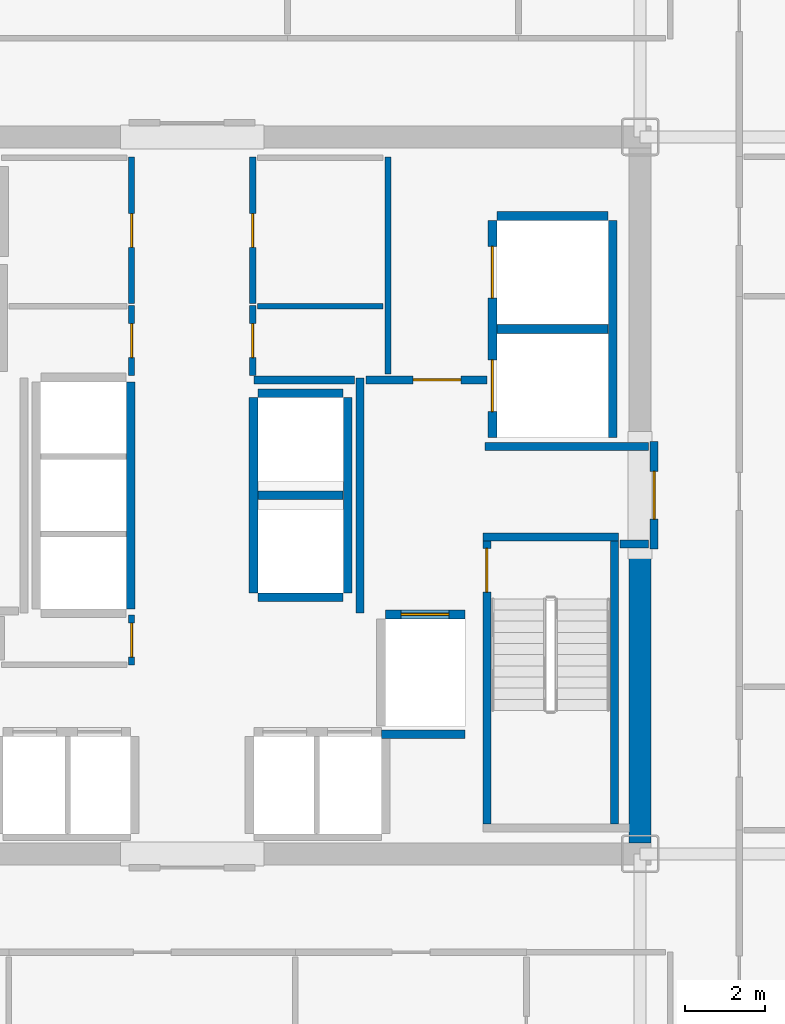
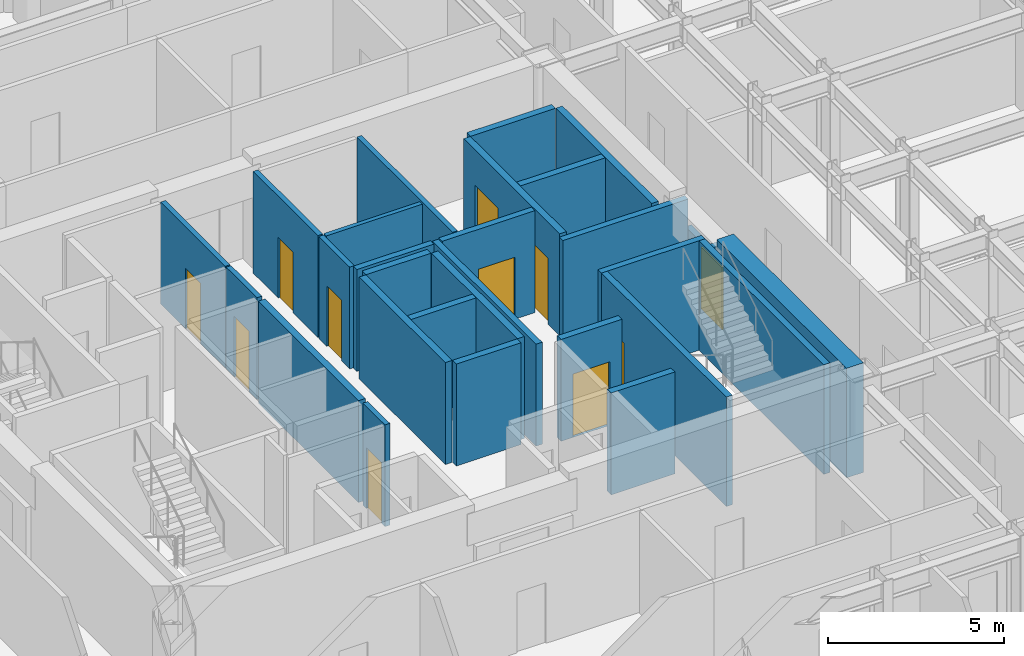
# One storey, part 18 of 23: 29 walls, 11 doors, 11 openings.
"""IFC4 building model written with IfcOpenShell, lengths in metres."""

from ifc_helpers import new_model, si_unit, direction, frame, frame_2d, origin, place, context, subcontext, project, spatial, rectangle, extrude, source, transform, mapped, material, layer, layer_set, type_object, element, fill, save


model = new_model("IFC4")

# Units and contexts
model_context = context("Model", 3, precision=1e-05, world=origin(), true_north=direction((0.0, 1.0)))
body_context = subcontext(model_context, "Body", "Model", "MODEL_VIEW")
ifc_project = project(units=[si_unit("LENGTHUNIT", "METRE"), si_unit("AREAUNIT", "SQUARE_METRE"), si_unit("VOLUMEUNIT", "CUBIC_METRE"), si_unit("PLANEANGLEUNIT", "RADIAN"), si_unit("MASSUNIT", "GRAM", prefix="KILO")], contexts=[model_context])

# Site, building, storey
site_placement = place(None, origin())
site = spatial("IfcSite", under=ifc_project, at=site_placement, CompositionType="ELEMENT")
building_placement = place(site_placement, origin())
building = spatial("IfcBuilding", under=site, at=building_placement, Name="Nefas-Gora Pilgrimage Tower", CompositionType="ELEMENT")
storey_placement = place(building_placement, frame((0.0, 0.0, 156.39990234375)))
storey = spatial("IfcBuildingStorey", under=building, at=storey_placement, Name="L38", CompositionType="ELEMENT", Elevation=156.39990234375)

# Walls
ifc_material_1 = material(Name="Concrete C60/75", Category="concrete")
ifc_layer_1 = layer(ifc_material_1, 0.550048828125)
ifc_layer_set_1 = layer_set([ifc_layer_1], Name="Concrete C60/75")
wall_type_1 = type_object("IfcWallType", Name="SW-CORE-550", PredefinedType="SHEAR", material=ifc_layer_set_1)
shared_shape_1 = source(origin(), body_context, "Body", "SweptSolid", [
    extrude(rectangle(XDim=7.375, YDim=0.550048828125, at=frame_2d((3.6875, 0.0))), origin(), (0.0, 0.0, 1.0), 3.800048828125),
])
wall_1_placement = place(storey_placement, frame((11.25, -8.72509765625, 0.0), z_axis=(0.0, 0.0, 1.0), x_axis=(0.0, 1.0, 0.0)))
element("IfcWall", 1, at=wall_1_placement, inside=storey, type_object=wall_type_1, Name="L38 Core Shear Wall E-South", PredefinedType="SHEAR", context=body_context, shape_type="MappedRepresentation", body=[
    mapped(shared_shape_1, transform((0.0, 0.0, 0.0), x_axis=(1.0, 0.0, 0.0), y_axis=(0.0, 1.0, 0.0), z_axis=(0.0, 0.0, 1.0), scale=1.0)),
])
ifc_material_2 = material(Name="Concrete C45/55", Category="concrete")
ifc_layer_2 = layer(ifc_material_2, 0.199951171875)
ifc_layer_set_2 = layer_set([ifc_layer_2], Name="Concrete C45/55")
wall_type_2 = type_object("IfcWallType", Name="IW-STAIR-200", PredefinedType="SOLIDWALL", material=ifc_layer_set_2)
shared_shape_2 = source(origin(), body_context, "Body", "SweptSolid", [
    extrude(rectangle(XDim=3.39990234375, YDim=0.199951171875, at=frame_2d((1.699951171875, 0.0))), origin(), (0.0, 0.0, 1.0), 3.800048828125),
])
wall_2_placement = place(storey_placement, frame((7.300048828125, -1.050048828125, 0.0), z_axis=(0.0, 0.0, 1.0), x_axis=(1.0, 0.0, 0.0)))
element("IfcWall", 2, at=wall_2_placement, inside=storey, type_object=wall_type_2, Name="L38 Stairwell Shear Wall ST-02-near", PredefinedType="SOLIDWALL", context=body_context, shape_type="MappedRepresentation", body=[
    mapped(shared_shape_2, transform((0.0, 0.0, 0.0), x_axis=(1.0, 0.0, 0.0), y_axis=(0.0, 1.0, 0.0), z_axis=(0.0, 0.0, 1.0), scale=1.0)),
])

# Wall, opening, door
shared_shape_3 = source(origin(), body_context, "Body", "SweptSolid", [
    extrude(rectangle(XDim=7.10009765625, YDim=0.199951171875, at=frame_2d((3.550048828125, 0.0))), origin(), (0.0, 0.0, 1.0), 3.800048828125),
])
wall_3_placement = place(storey_placement, frame((7.39990234375, -1.14990234375, 0.0), z_axis=(0.0, 0.0, 1.0), x_axis=(0.0, -1.0, 0.0)))
wall_3 = element("IfcWall", 3, at=wall_3_placement, inside=storey, type_object=wall_type_2, Name="L38 Stairwell Shear Wall ST-02-left", PredefinedType="SOLIDWALL", context=body_context, shape_type="MappedRepresentation", body=[
    mapped(shared_shape_3, transform((0.0, 0.0, 0.0), x_axis=(1.0, 0.0, 0.0), y_axis=(0.0, 1.0, 0.0), z_axis=(0.0, 0.0, 1.0), scale=1.0)),
])
opening_1_placement = place(wall_3_placement, frame((0.179931640625, 0.0, 0.0)))
opening_1 = element("IfcOpeningElement", 4, at=opening_1_placement, cuts=wall_3, Name="Opening ID-ST1", PredefinedType="OPENING", context=body_context, shape_type="SweptSolid", body=[
    extrude(rectangle(XDim=1.10009765625, YDim=2.14990234375, at=frame_2d((0.550048828125, 1.074951171875))), frame((0.0, 0.10986328125, 0.0), z_axis=(0.0, -1.0, 0.0), x_axis=(1.0, 0.0, 0.0)), (0.0, 0.0, 1.0), 0.219970703125),
])
ifc_material_3 = material(Name="Painted galvanised steel fire stair door", Category="steel")
door_type_1 = type_object("IfcDoorType", Name="DR-INT-STAIR-1100", OperationType="NOTDEFINED", PredefinedType="DOOR", material=ifc_material_3)
shared_shape_4 = source(origin(), body_context, "Body", "SweptSolid", [
    extrude(rectangle(XDim=1.10009765625, YDim=2.14990234375, at=frame_2d((0.550048828125, 1.074951171875))), frame((0.0, 0.02490234375, 0.0), z_axis=(0.0, -1.0, 0.0), x_axis=(1.0, 0.0, 0.0)), (0.0, 0.0, 1.0), 0.050048828125),
])
door_1_placement = place(opening_1_placement, origin())
door_1 = element("IfcDoor", 5, at=door_1_placement, inside=storey, type_object=door_type_1, Name="L38 Protected Exit Stair Door ST-02", OperationType="SINGLE_SWING_LEFT", OverallHeight=2.14990234375, OverallWidth=1.10009765625, PredefinedType="DOOR", context=body_context, shape_type="MappedRepresentation", body=[
    mapped(shared_shape_4, transform((0.0, 0.0, 0.0), x_axis=(1.0, 0.0, 0.0), y_axis=(0.0, 1.0, 0.0), z_axis=(0.0, 0.0, 1.0), scale=1.0)),
])
fill(opening_1, door_1)

# Wall
wall_4_placement = place(storey_placement, frame((10.60009765625, -1.14990234375, 0.0), z_axis=(0.0, 0.0, 1.0), x_axis=(0.0, -1.0, 0.0)))
element("IfcWall", 6, at=wall_4_placement, inside=storey, type_object=wall_type_2, Name="L38 Stairwell Shear Wall ST-02-right", PredefinedType="SOLIDWALL", context=body_context, shape_type="MappedRepresentation", body=[
    mapped(shared_shape_3, transform((0.0, 0.0, 0.0), x_axis=(1.0, 0.0, 0.0), y_axis=(0.0, 1.0, 0.0), z_axis=(0.0, 0.0, 1.0), scale=1.0)),
])

# Wall, opening, door
ifc_material_4 = material(Name="Concrete C40/50", Category="concrete")
ifc_layer_3 = layer(ifc_material_4, 0.219970703125)
ifc_layer_set_3 = layer_set([ifc_layer_3], Name="Concrete C40/50")
wall_type_3 = type_object("IfcWallType", Name="IW-SHAFT-220", PredefinedType="SOLIDWALL", material=ifc_layer_set_3)
shared_shape_5 = source(origin(), body_context, "Body", "SweptSolid", [
    extrude(rectangle(XDim=2.0, YDim=0.219970703125, at=frame_2d((1.0, 0.0))), origin(), (0.0, 0.0, 1.0), 3.53515625),
])
wall_5_placement = place(storey_placement, frame((6.85009765625, -2.989990234375, 0.0), z_axis=(0.0, 0.0, 1.0), x_axis=(-1.0, 0.0, 0.0)))
wall_5 = element("IfcWall", 7, at=wall_5_placement, inside=storey, type_object=wall_type_3, Name="L38 Hoistway Wall FFL-02-N", PredefinedType="SOLIDWALL", context=body_context, shape_type="MappedRepresentation", body=[
    mapped(shared_shape_5, transform((0.0, 0.0, 0.0), x_axis=(1.0, 0.0, 0.0), y_axis=(0.0, 1.0, 0.0), z_axis=(0.0, 0.0, 1.0), scale=1.0)),
])
opening_2_placement = place(wall_5_placement, frame((0.39990234375, 0.0, 0.0)))
opening_2 = element("IfcOpeningElement", 8, at=opening_2_placement, cuts=wall_5, Name="Opening LD-FF", PredefinedType="OPENING", context=body_context, shape_type="SweptSolid", body=[
    extrude(rectangle(XDim=1.199951171875, YDim=2.199951171875, at=frame_2d((0.60009765625, 1.10009765625))), frame((0.0, 0.119873046875, 0.0), z_axis=(0.0, -1.0, 0.0), x_axis=(1.0, 0.0, 0.0)), (0.0, 0.0, 1.0), 0.239990234375),
])
ifc_material_5 = material(Name="Fire-service sliding lift landing door")
door_type_2 = type_object("IfcDoorType", Name="DR-LIFT-FSAE-1200", OperationType="SLIDING_TO_LEFT", PredefinedType="DOOR", material=ifc_material_5)
shared_shape_6 = source(origin(), body_context, "Body", "SweptSolid", [
    extrude(rectangle(XDim=1.199951171875, YDim=2.199951171875, at=frame_2d((0.60009765625, 1.10009765625))), frame((0.0, 0.02490234375, 0.0), z_axis=(0.0, -1.0, 0.0), x_axis=(1.0, 0.0, 0.0)), (0.0, 0.0, 1.0), 0.050048828125),
])
door_2_placement = place(opening_2_placement, origin())
door_2 = element("IfcDoor", 9, at=door_2_placement, inside=storey, type_object=door_type_2, Name="L38 Sliding Lift Landing Door FFL-02", OperationType="SLIDING_TO_LEFT", OverallHeight=2.199951171875, OverallWidth=1.199951171875, PredefinedType="DOOR", context=body_context, shape_type="MappedRepresentation", body=[
    mapped(shared_shape_6, transform((0.0, 0.0, 0.0), x_axis=(1.0, 0.0, 0.0), y_axis=(0.0, 1.0, 0.0), z_axis=(0.0, 0.0, 1.0), scale=1.0)),
])
fill(opening_2, door_2)

# Wall, openings, doors
shared_shape_7 = source(origin(), body_context, "Body", "SweptSolid", [
    extrude(rectangle(XDim=5.449951171875, YDim=0.219970703125, at=frame_2d((2.72509765625, 0.0))), origin(), (0.0, 0.0, 1.0), 3.53515625),
])
wall_6_placement = place(storey_placement, frame((7.5400390625, 6.89990234375, 0.0), z_axis=(0.0, 0.0, 1.0), x_axis=(0.0, -1.0, 0.0)))
wall_6 = element("IfcWall", 10, at=wall_6_placement, inside=storey, type_object=wall_type_3, Name="L38 Hoistway Wall SL-01-02-W", PredefinedType="SOLIDWALL", context=body_context, shape_type="MappedRepresentation", body=[
    mapped(shared_shape_7, transform((0.0, 0.0, 0.0), x_axis=(1.0, 0.0, 0.0), y_axis=(0.0, 1.0, 0.0), z_axis=(0.0, 0.0, 1.0), scale=1.0)),
])
opening_3_placement = place(wall_6_placement, frame((3.5, 0.0, 0.0)))
opening_3 = element("IfcOpeningElement", 11, at=opening_3_placement, cuts=wall_6, Name="Opening LD-SV", PredefinedType="OPENING", context=body_context, shape_type="SweptSolid", body=[
    extrude(rectangle(XDim=1.300048828125, YDim=2.300048828125, at=frame_2d((0.64990234375, 1.14990234375))), frame((0.0, 0.119873046875, 0.0), z_axis=(0.0, -1.0, 0.0), x_axis=(1.0, 0.0, 0.0)), (0.0, 0.0, 1.0), 0.239990234375),
])
opening_4_placement = place(wall_6_placement, frame((0.64990234375, 0.0, 0.0)))
opening_4 = element("IfcOpeningElement", 12, at=opening_4_placement, cuts=wall_6, Name="Opening LD-SV", PredefinedType="OPENING", context=body_context, shape_type="SweptSolid", body=[
    extrude(rectangle(XDim=1.300048828125, YDim=2.300048828125, at=frame_2d((0.64990234375, 1.14990234375))), frame((0.0, 0.119873046875, 0.0), z_axis=(0.0, -1.0, 0.0), x_axis=(1.0, 0.0, 0.0)), (0.0, 0.0, 1.0), 0.239990234375),
])
ifc_material_6 = material(Name="Heavy goods sliding lift landing door")
door_type_3 = type_object("IfcDoorType", Name="DR-LIFT-SERV-1300", OperationType="SLIDING_TO_RIGHT", PredefinedType="DOOR", material=ifc_material_6)
shared_shape_8 = source(origin(), body_context, "Body", "SweptSolid", [
    extrude(rectangle(XDim=1.300048828125, YDim=2.300048828125, at=frame_2d((0.64990234375, 1.14990234375))), frame((0.0, 0.02490234375, 0.0), z_axis=(0.0, -1.0, 0.0), x_axis=(1.0, 0.0, 0.0)), (0.0, 0.0, 1.0), 0.050048828125),
])
door_3_placement = place(opening_3_placement, origin())
door_3 = element("IfcDoor", 13, at=door_3_placement, inside=storey, type_object=door_type_3, Name="L38 Sliding Lift Landing Door SL-01", OperationType="SLIDING_TO_RIGHT", OverallHeight=2.300048828125, OverallWidth=1.300048828125, PredefinedType="DOOR", context=body_context, shape_type="MappedRepresentation", body=[
    mapped(shared_shape_8, transform((0.0, 0.0, 0.0), x_axis=(1.0, 0.0, 0.0), y_axis=(0.0, 1.0, 0.0), z_axis=(0.0, 0.0, 1.0), scale=1.0)),
])
fill(opening_3, door_3)
door_4_placement = place(opening_4_placement, origin())
door_4 = element("IfcDoor", 14, at=door_4_placement, inside=storey, type_object=door_type_3, Name="L38 Sliding Lift Landing Door SL-02", OperationType="SLIDING_TO_RIGHT", OverallHeight=2.300048828125, OverallWidth=1.300048828125, PredefinedType="DOOR", context=body_context, shape_type="MappedRepresentation", body=[
    mapped(shared_shape_8, transform((0.0, 0.0, 0.0), x_axis=(1.0, 0.0, 0.0), y_axis=(0.0, 1.0, 0.0), z_axis=(0.0, 0.0, 1.0), scale=1.0)),
])
fill(opening_4, door_4)

# Walls
wall_7_placement = place(storey_placement, frame((10.56005859375, 1.449951171875, 0.0), z_axis=(0.0, 0.0, 1.0), x_axis=(0.0, 1.0, 0.0)))
element("IfcWall", 15, at=wall_7_placement, inside=storey, type_object=wall_type_3, Name="L38 Hoistway Wall SL-01-02-E", PredefinedType="SOLIDWALL", context=body_context, shape_type="MappedRepresentation", body=[
    mapped(shared_shape_7, transform((0.0, 0.0, 0.0), x_axis=(1.0, 0.0, 0.0), y_axis=(0.0, 1.0, 0.0), z_axis=(0.0, 0.0, 1.0), scale=1.0)),
])
shared_shape_9 = source(origin(), body_context, "Body", "SweptSolid", [
    extrude(rectangle(XDim=2.780029296875, YDim=0.219970703125, at=frame_2d((1.39013671875, 0.0))), origin(), (0.0, 0.0, 1.0), 3.53515625),
])
for number, where, z_axis, x_axis, name in (
    (16, (7.659912109375, 4.175048828125, 0.0), (0.0, 0.0, 1.0), (1.0, 0.0, 0.0), "L38 Hoistway Wall SL-01-02-DIV"),
    (17, (10.43994140625, 7.010009765625, 0.0), (0.0, 0.0, 1.0), (-1.0, 0.0, 0.0), "L38 Hoistway Wall SL-02-N"),
):
    element("IfcWall", number, at=place(storey_placement, frame(where, z_axis=z_axis, x_axis=x_axis)), inside=storey, type_object=wall_type_3, Name=name, PredefinedType="SOLIDWALL", context=body_context, shape_type="MappedRepresentation", body=[
        mapped(shared_shape_9, transform((0.0, 0.0, 0.0), x_axis=(1.0, 0.0, 0.0), y_axis=(0.0, 1.0, 0.0), z_axis=(0.0, 0.0, 1.0), scale=1.0)),
    ])
shared_shape_10 = source(origin(), body_context, "Body", "SweptSolid", [
    extrude(rectangle(XDim=5.7001953125, YDim=0.219970703125, at=frame_2d((2.85009765625, 0.0))), origin(), (0.0, 0.0, 1.0), 3.53515625),
])
wall_8_placement = place(storey_placement, frame((-1.5400390625, -2.85009765625, 0.0), z_axis=(0.0, 0.0, 1.0), x_axis=(0.0, 1.0, 0.0)))
element("IfcWall", 18, at=wall_8_placement, inside=storey, type_object=wall_type_3, Name="L38 Hoistway Wall PL3-01-03-E", PredefinedType="SOLIDWALL", context=body_context, shape_type="MappedRepresentation", body=[
    mapped(shared_shape_10, transform((0.0, 0.0, 0.0), x_axis=(1.0, 0.0, 0.0), y_axis=(0.0, 1.0, 0.0), z_axis=(0.0, 0.0, 1.0), scale=1.0)),
])
shared_shape_11 = source(origin(), body_context, "Body", "SweptSolid", [
    extrude(rectangle(XDim=2.130126953125, YDim=0.219970703125, at=frame_2d((1.06494140625, 0.0))), origin(), (0.0, 0.0, 1.0), 3.53515625),
])
for number, where, z_axis, x_axis, name in (
    (19, (1.659912109375, -2.56005859375, 0.0), (0.0, 0.0, 1.0), (1.0, 0.0, 0.0), "L38 Hoistway Wall OBS-01-S"),
    (20, (1.659912109375, 0.0, 0.0), (0.0, 0.0, 1.0), (1.0, 0.0, 0.0), "L38 Hoistway Wall OBS-01-02-DIV"),
    (21, (3.7900390625, 2.56005859375, 0.0), (0.0, 0.0, 1.0), (-1.0, 0.0, 0.0), "L38 Hoistway Wall OBS-02-N"),
):
    element("IfcWall", number, at=place(storey_placement, frame(where, z_axis=z_axis, x_axis=x_axis)), inside=storey, type_object=wall_type_3, Name=name, PredefinedType="SOLIDWALL", context=body_context, shape_type="MappedRepresentation", body=[
        mapped(shared_shape_11, transform((0.0, 0.0, 0.0), x_axis=(1.0, 0.0, 0.0), y_axis=(0.0, 1.0, 0.0), z_axis=(0.0, 0.0, 1.0), scale=1.0)),
    ])
shared_shape_12 = source(origin(), body_context, "Body", "SweptSolid", [
    extrude(rectangle(XDim=4.89990234375, YDim=0.219970703125, at=frame_2d((2.449951171875, 0.0))), origin(), (0.0, 0.0, 1.0), 3.53515625),
])
for number, where, z_axis, x_axis, name in (
    (22, (1.5400390625, 2.449951171875, 0.0), (0.0, 0.0, 1.0), (0.0, -1.0, 0.0), "L38 Hoistway Wall OBS-01-02-W"),
    (23, (3.909912109375, -2.449951171875, 0.0), (0.0, 0.0, 1.0), (0.0, 1.0, 0.0), "L38 Hoistway Wall OBS-01-02-E"),
):
    element("IfcWall", number, at=place(storey_placement, frame(where, z_axis=z_axis, x_axis=x_axis)), inside=storey, type_object=wall_type_3, Name=name, PredefinedType="SOLIDWALL", context=body_context, shape_type="MappedRepresentation", body=[
        mapped(shared_shape_12, transform((0.0, 0.0, 0.0), x_axis=(1.0, 0.0, 0.0), y_axis=(0.0, 1.0, 0.0), z_axis=(0.0, 0.0, 1.0), scale=1.0)),
    ])

# Wall, opening, door
ifc_material_7 = material(Name="Gypsum fire-rated shaftwall")
ifc_layer_4 = layer(ifc_material_7, 0.199951171875)
ifc_layer_set_4 = layer_set([ifc_layer_4], Name="Gypsum fire-rated shaftwall")
wall_type_4 = type_object("IfcWallType", Name="IW-FFLOB-200", PredefinedType="PARTITIONING", material=ifc_layer_set_4)
shared_shape_13 = source(origin(), body_context, "Body", "SweptSolid", [
    extrude(rectangle(XDim=2.7001953125, YDim=0.199951171875, at=frame_2d((1.35009765625, 0.0))), origin(), (0.0, 0.0, 1.0), 2.425048828125),
])
wall_9_placement = place(storey_placement, frame((11.60009765625, -1.35009765625, 0.0), z_axis=(0.0, 0.0, 1.0), x_axis=(0.0, 1.0, 0.0)))
wall_9 = element("IfcWall", 24, at=wall_9_placement, inside=storey, type_object=wall_type_4, Name="L38 FF Lobby East Portal Wall 9", PredefinedType="PARTITIONING", context=body_context, shape_type="MappedRepresentation", body=[
    mapped(shared_shape_13, transform((0.0, 0.0, 0.0), x_axis=(1.0, 0.0, 0.0), y_axis=(0.0, 1.0, 0.0), z_axis=(0.0, 0.0, 1.0), scale=1.0)),
])
opening_5_placement = place(wall_9_placement, frame((0.75, 0.0, 0.0)))
opening_5 = element("IfcOpeningElement", 25, at=opening_5_placement, cuts=wall_9, Name="Opening ID-FF1", PredefinedType="OPENING", context=body_context, shape_type="SweptSolid", body=[
    extrude(rectangle(XDim=1.199951171875, YDim=2.14990234375, at=frame_2d((0.60009765625, 1.074951171875))), frame((0.0, 0.10986328125, 0.0), z_axis=(0.0, -1.0, 0.0), x_axis=(1.0, 0.0, 0.0)), (0.0, 0.0, 1.0), 0.219970703125),
])
ifc_material_8 = material(Name="Smoke-sealed steel firefighting lobby door", Category="steel")
door_type_4 = type_object("IfcDoorType", Name="DR-INT-FFLOB-1200", OperationType="NOTDEFINED", PredefinedType="DOOR", material=ifc_material_8)
shared_shape_14 = source(origin(), body_context, "Body", "SweptSolid", [
    extrude(rectangle(XDim=1.199951171875, YDim=2.14990234375, at=frame_2d((0.60009765625, 1.074951171875))), frame((0.0, 0.02490234375, 0.0), z_axis=(0.0, -1.0, 0.0), x_axis=(1.0, 0.0, 0.0)), (0.0, 0.0, 1.0), 0.050048828125),
])
door_5_placement = place(opening_5_placement, origin())
door_5 = element("IfcDoor", 26, at=door_5_placement, inside=storey, type_object=door_type_4, Name="L38 FF Lobby East Portal Door 3", OperationType="SINGLE_SWING_LEFT", OverallHeight=2.14990234375, OverallWidth=1.199951171875, PredefinedType="DOOR", context=body_context, shape_type="MappedRepresentation", body=[
    mapped(shared_shape_14, transform((0.0, 0.0, 0.0), x_axis=(1.0, 0.0, 0.0), y_axis=(0.0, 1.0, 0.0), z_axis=(0.0, 0.0, 1.0), scale=1.0)),
])
fill(opening_5, door_5)

# Walls
shared_shape_15 = source(origin(), body_context, "Body", "SweptSolid", [
    extrude(rectangle(XDim=2.09521484375, YDim=0.219970703125, at=frame_2d((1.047607421875, 0.0))), origin(), (0.0, 0.0, 1.0), 3.53515625),
])
wall_10_placement = place(storey_placement, frame((4.7548828125, -6.0, 0.0), z_axis=(0.0, 0.0, 1.0), x_axis=(1.0, 0.0, 0.0)))
element("IfcWall", 27, at=wall_10_placement, inside=storey, type_object=wall_type_3, Name="L38 Riser Shaft Wall 3", PredefinedType="SOLIDWALL", context=body_context, shape_type="MappedRepresentation", body=[
    mapped(shared_shape_15, transform((0.0, 0.0, 0.0), x_axis=(1.0, 0.0, 0.0), y_axis=(0.0, 1.0, 0.0), z_axis=(0.0, 0.0, 1.0), scale=1.0)),
])
shared_shape_16 = source(origin(), body_context, "Body", "SweptSolid", [
    extrude(rectangle(XDim=5.89990234375, YDim=0.199951171875, at=frame_2d((2.949951171875, 0.0))), origin(), (0.0, 0.0, 1.0), 3.53515625),
])
wall_11_placement = place(storey_placement, frame((4.219970703125, -2.949951171875, 0.0), z_axis=(0.0, 0.0, 1.0), x_axis=(0.0, 1.0, 0.0)))
element("IfcWall", 28, at=wall_11_placement, inside=storey, type_object=wall_type_4, Name="L38 FF Lobby East Inner Wall Wall 10", PredefinedType="PARTITIONING", context=body_context, shape_type="MappedRepresentation", body=[
    mapped(shared_shape_16, transform((0.0, 0.0, 0.0), x_axis=(1.0, 0.0, 0.0), y_axis=(0.0, 1.0, 0.0), z_axis=(0.0, 0.0, 1.0), scale=1.0)),
])
shared_shape_17 = source(origin(), body_context, "Body", "SweptSolid", [
    extrude(rectangle(XDim=0.719970703125, YDim=0.199951171875, at=frame_2d((0.35986328125, 0.0))), origin(), (0.0, 0.0, 1.0), 3.53515625),
])
wall_12_placement = place(storey_placement, frame((10.739990234375, -1.219970703125, 0.0), z_axis=(0.0, 0.0, 1.0), x_axis=(1.0, 0.0, 0.0)))
element("IfcWall", 29, at=wall_12_placement, inside=storey, type_object=wall_type_4, Name="L38 FF Lobby East Throat S Wall 14", PredefinedType="PARTITIONING", context=body_context, shape_type="MappedRepresentation", body=[
    mapped(shared_shape_17, transform((0.0, 0.0, 0.0), x_axis=(1.0, 0.0, 0.0), y_axis=(0.0, 1.0, 0.0), z_axis=(0.0, 0.0, 1.0), scale=1.0)),
])

# Wall, opening, door
shared_shape_18 = source(origin(), body_context, "Body", "SweptSolid", [
    extrude(rectangle(XDim=3.039794921875, YDim=0.199951171875, at=frame_2d((1.52001953125, 0.0))), origin(), (0.0, 0.0, 1.0), 3.53515625),
])
wall_13_placement = place(storey_placement, frame((4.360107421875, 2.89990234375, 0.0), z_axis=(0.0, 0.0, 1.0), x_axis=(1.0, 0.0, 0.0)))
wall_13 = element("IfcWall", 30, at=wall_13_placement, inside=storey, type_object=wall_type_4, Name="L38 FF Lobby East North Wall Wall 12", PredefinedType="PARTITIONING", context=body_context, shape_type="MappedRepresentation", body=[
    mapped(shared_shape_18, transform((0.0, 0.0, 0.0), x_axis=(1.0, 0.0, 0.0), y_axis=(0.0, 1.0, 0.0), z_axis=(0.0, 0.0, 1.0), scale=1.0)),
])
opening_6_placement = place(wall_13_placement, frame((1.18994140625, 0.0, 0.0)))
opening_6 = element("IfcOpeningElement", 31, at=opening_6_placement, cuts=wall_13, Name="Opening ID-PL1", PredefinedType="OPENING", context=body_context, shape_type="SweptSolid", body=[
    extrude(rectangle(XDim=1.199951171875, YDim=2.14990234375, at=frame_2d((0.60009765625, 1.074951171875))), frame((0.0, 0.10986328125, 0.0), z_axis=(0.0, -1.0, 0.0), x_axis=(1.0, 0.0, 0.0)), (0.0, 0.0, 1.0), 0.219970703125),
])
ifc_material_9 = material(Name="Heavy-duty steel plant room fire door", Category="steel")
door_type_5 = type_object("IfcDoorType", Name="DR-INT-PLANT-1200", OperationType="NOTDEFINED", PredefinedType="DOOR", material=ifc_material_9)
door_6_placement = place(opening_6_placement, origin())
door_6 = element("IfcDoor", 32, at=door_6_placement, inside=storey, type_object=door_type_5, Name="L38 Service Lift Lobby Door Door 4", OperationType="SINGLE_SWING_RIGHT", OverallHeight=2.14990234375, OverallWidth=1.199951171875, PredefinedType="DOOR", context=body_context, shape_type="MappedRepresentation", body=[
    mapped(shared_shape_14, transform((0.0, 0.0, 0.0), x_axis=(1.0, 0.0, 0.0), y_axis=(0.0, 1.0, 0.0), z_axis=(0.0, 0.0, 1.0), scale=1.0)),
])
fill(opening_6, door_6)

# Walls
shared_shape_19 = source(origin(), body_context, "Body", "SweptSolid", [
    extrude(rectangle(XDim=4.10986328125, YDim=0.199951171875, at=frame_2d((2.054931640625, 0.0))), origin(), (0.0, 0.0, 1.0), 3.53515625),
])
wall_14_placement = place(storey_placement, frame((7.35009765625, 1.219970703125, 0.0), z_axis=(0.0, 0.0, 1.0), x_axis=(1.0, 0.0, 0.0)))
element("IfcWall", 33, at=wall_14_placement, inside=storey, type_object=wall_type_4, Name="L38 FF Lobby East Throat N Wall 13", PredefinedType="PARTITIONING", context=body_context, shape_type="MappedRepresentation", body=[
    mapped(shared_shape_19, transform((0.0, 0.0, 0.0), x_axis=(1.0, 0.0, 0.0), y_axis=(0.0, 1.0, 0.0), z_axis=(0.0, 0.0, 1.0), scale=1.0)),
])
ifc_material_10 = material(Name="Gypsum twin-stud partition")
ifc_layer_5 = layer(ifc_material_10, 0.139892578125)
ifc_layer_set_5 = layer_set([ifc_layer_5], Name="Gypsum twin-stud partition")
wall_type_5 = type_object("IfcWallType", Name="IW-UNIT-140", PredefinedType="PARTITIONING", material=ifc_layer_set_5)
shared_shape_20 = source(origin(), body_context, "Body", "SweptSolid", [
    extrude(rectangle(XDim=3.150146484375, YDim=0.139892578125, at=frame_2d((1.5751953125, 0.0))), origin(), (0.0, 0.0, 1.0), 3.53515625),
])
wall_15_placement = place(storey_placement, frame((1.639892578125, 4.75, 0.0), z_axis=(0.0, 0.0, 1.0), x_axis=(1.0, 0.0, 0.0)))
element("IfcWall", 34, at=wall_15_placement, inside=storey, type_object=wall_type_5, Name="L38 Clean Blanket and Robe Store Partition Wall 23", PredefinedType="PARTITIONING", context=body_context, shape_type="MappedRepresentation", body=[
    mapped(shared_shape_20, transform((0.0, 0.0, 0.0), x_axis=(1.0, 0.0, 0.0), y_axis=(0.0, 1.0, 0.0), z_axis=(0.0, 0.0, 1.0), scale=1.0)),
])

# Wall, opening, door
ifc_material_11 = material(Name="Gypsum acoustic stud partition")
ifc_layer_6 = layer(ifc_material_11, 0.159912109375)
ifc_layer_set_6 = layer_set([ifc_layer_6], Name="Gypsum acoustic stud partition")
wall_type_6 = type_object("IfcWallType", Name="IW-CORR-160", PredefinedType="PARTITIONING", material=ifc_layer_set_6)
shared_shape_21 = source(origin(), body_context, "Body", "SweptSolid", [
    extrude(rectangle(XDim=1.25, YDim=0.159912109375, at=frame_2d((0.625, 0.0))), origin(), (0.0, 0.0, 1.0), 3.53515625),
])
wall_16_placement = place(storey_placement, frame((-1.52001953125, -4.260009765625, 0.0), z_axis=(0.0, 0.0, 1.0), x_axis=(0.0, 1.0, 0.0)))
wall_16 = element("IfcWall", 35, at=wall_16_placement, inside=storey, type_object=wall_type_6, Name="L38 Guest Self-Service Laundry Room Wall 26", PredefinedType="PARTITIONING", context=body_context, shape_type="MappedRepresentation", body=[
    mapped(shared_shape_21, transform((0.0, 0.0, 0.0), x_axis=(1.0, 0.0, 0.0), y_axis=(0.0, 1.0, 0.0), z_axis=(0.0, 0.0, 1.0), scale=1.0)),
])
opening_7_placement = place(wall_16_placement, frame((0.199951171875, 0.0, 0.0)))
opening_7 = element("IfcOpeningElement", 36, at=opening_7_placement, cuts=wall_16, Name="Opening ID-BT1", PredefinedType="OPENING", context=body_context, shape_type="SweptSolid", body=[
    extrude(rectangle(XDim=0.85009765625, YDim=2.10009765625, at=frame_2d((0.425048828125, 1.050048828125))), frame((0.0, 0.08984375, 0.0), z_axis=(0.0, -1.0, 0.0), x_axis=(1.0, 0.0, 0.0)), (0.0, 0.0, 1.0), 0.179931640625),
])
ifc_material_12 = material(Name="Moisture-resistant fire-rated timber door", Category="wood")
door_type_6 = type_object("IfcDoorType", Name="DR-INT-BATH-850", OperationType="NOTDEFINED", PredefinedType="DOOR", material=ifc_material_12)
shared_shape_22 = source(origin(), body_context, "Body", "SweptSolid", [
    extrude(rectangle(XDim=0.85009765625, YDim=2.10009765625, at=frame_2d((0.425048828125, 1.050048828125))), frame((0.0, 0.02490234375, 0.0), z_axis=(0.0, -1.0, 0.0), x_axis=(1.0, 0.0, 0.0)), (0.0, 0.0, 1.0), 0.050048828125),
])
door_7_placement = place(opening_7_placement, origin())
door_7 = element("IfcDoor", 37, at=door_7_placement, inside=storey, type_object=door_type_6, Name="L38 Guest Self-Service Laundry Room Door 11", OperationType="SINGLE_SWING_LEFT", OverallHeight=2.10009765625, OverallWidth=0.85009765625, PredefinedType="DOOR", context=body_context, shape_type="MappedRepresentation", body=[
    mapped(shared_shape_22, transform((0.0, 0.0, 0.0), x_axis=(1.0, 0.0, 0.0), y_axis=(0.0, 1.0, 0.0), z_axis=(0.0, 0.0, 1.0), scale=1.0)),
])
fill(opening_7, door_7)

# Walls
shared_shape_23 = source(origin(), body_context, "Body", "SweptSolid", [
    extrude(rectangle(XDim=2.52001953125, YDim=0.199951171875, at=frame_2d((1.260009765625, 0.0))), origin(), (0.0, 0.0, 1.0), 3.53515625),
])
wall_17_placement = place(storey_placement, frame((1.56005859375, 2.89990234375, 0.0), z_axis=(0.0, 0.0, 1.0), x_axis=(1.0, 0.0, 0.0)))
element("IfcWall", 38, at=wall_17_placement, inside=storey, type_object=wall_type_4, Name="L38 FF Lobby East North Wall Wall 11", PredefinedType="PARTITIONING", context=body_context, shape_type="MappedRepresentation", body=[
    mapped(shared_shape_23, transform((0.0, 0.0, 0.0), x_axis=(1.0, 0.0, 0.0), y_axis=(0.0, 1.0, 0.0), z_axis=(0.0, 0.0, 1.0), scale=1.0)),
])
shared_shape_24 = source(origin(), body_context, "Body", "SweptSolid", [
    extrude(rectangle(XDim=5.449951171875, YDim=0.159912109375, at=frame_2d((2.72509765625, 0.0))), origin(), (0.0, 0.0, 1.0), 3.53515625),
])
wall_18_placement = place(storey_placement, frame((4.919921875, 3.0400390625, 0.0), z_axis=(0.0, 0.0, 1.0), x_axis=(0.0, 1.0, 0.0)))
element("IfcWall", 39, at=wall_18_placement, inside=storey, type_object=wall_type_6, Name="L38 Service Lift Lobby West Wall Wall 17", PredefinedType="PARTITIONING", context=body_context, shape_type="MappedRepresentation", body=[
    mapped(shared_shape_24, transform((0.0, 0.0, 0.0), x_axis=(1.0, 0.0, 0.0), y_axis=(0.0, 1.0, 0.0), z_axis=(0.0, 0.0, 1.0), scale=1.0)),
])

# Wall, opening, door
shared_shape_25 = source(origin(), body_context, "Body", "SweptSolid", [
    extrude(rectangle(XDim=1.75, YDim=0.159912109375, at=frame_2d((0.875, 0.0))), origin(), (0.0, 0.0, 1.0), 3.53515625),
])
wall_19_placement = place(storey_placement, frame((-1.52001953125, 3.010009765625, 0.0), z_axis=(0.0, 0.0, 1.0), x_axis=(0.0, 1.0, 0.0)))
wall_19 = element("IfcWall", 40, at=wall_19_placement, inside=storey, type_object=wall_type_6, Name="L38 Housekeeping and Linen Store Wall 18", PredefinedType="PARTITIONING", context=body_context, shape_type="MappedRepresentation", body=[
    mapped(shared_shape_25, transform((0.0, 0.0, 0.0), x_axis=(1.0, 0.0, 0.0), y_axis=(0.0, 1.0, 0.0), z_axis=(0.0, 0.0, 1.0), scale=1.0)),
])
opening_8_placement = place(wall_19_placement, frame((0.449951171875, 0.0, 0.0)))
opening_8 = element("IfcOpeningElement", 41, at=opening_8_placement, cuts=wall_19, Name="Opening ID-BT1", PredefinedType="OPENING", context=body_context, shape_type="SweptSolid", body=[
    extrude(rectangle(XDim=0.85009765625, YDim=2.10009765625, at=frame_2d((0.425048828125, 1.050048828125))), frame((0.0, 0.08984375, 0.0), z_axis=(0.0, -1.0, 0.0), x_axis=(1.0, 0.0, 0.0)), (0.0, 0.0, 1.0), 0.179931640625),
])
door_8_placement = place(opening_8_placement, origin())
door_8 = element("IfcDoor", 42, at=door_8_placement, inside=storey, type_object=door_type_6, Name="L38 Housekeeping and Linen Store Door 7", OperationType="SINGLE_SWING_LEFT", OverallHeight=2.10009765625, OverallWidth=0.85009765625, PredefinedType="DOOR", context=body_context, shape_type="MappedRepresentation", body=[
    mapped(shared_shape_22, transform((0.0, 0.0, 0.0), x_axis=(1.0, 0.0, 0.0), y_axis=(0.0, 1.0, 0.0), z_axis=(0.0, 0.0, 1.0), scale=1.0)),
])
fill(opening_8, door_8)

wall_20_placement = place(storey_placement, frame((1.52001953125, 3.010009765625, 0.0), z_axis=(0.0, 0.0, 1.0), x_axis=(0.0, 1.0, 0.0)))
wall_20 = element("IfcWall", 43, at=wall_20_placement, inside=storey, type_object=wall_type_6, Name="L38 Clean Blanket and Robe Store Wall 22", PredefinedType="PARTITIONING", context=body_context, shape_type="MappedRepresentation", body=[
    mapped(shared_shape_25, transform((0.0, 0.0, 0.0), x_axis=(1.0, 0.0, 0.0), y_axis=(0.0, 1.0, 0.0), z_axis=(0.0, 0.0, 1.0), scale=1.0)),
])
opening_9_placement = place(wall_20_placement, frame((0.449951171875, 0.0, 0.0)))
opening_9 = element("IfcOpeningElement", 44, at=opening_9_placement, cuts=wall_20, Name="Opening ID-BT1", PredefinedType="OPENING", context=body_context, shape_type="SweptSolid", body=[
    extrude(rectangle(XDim=0.85009765625, YDim=2.10009765625, at=frame_2d((0.425048828125, 1.050048828125))), frame((0.0, 0.08984375, 0.0), z_axis=(0.0, -1.0, 0.0), x_axis=(1.0, 0.0, 0.0)), (0.0, 0.0, 1.0), 0.179931640625),
])
door_9_placement = place(opening_9_placement, origin())
door_9 = element("IfcDoor", 45, at=door_9_placement, inside=storey, type_object=door_type_6, Name="L38 Clean Blanket and Robe Store Door 9", OperationType="SINGLE_SWING_LEFT", OverallHeight=2.10009765625, OverallWidth=0.85009765625, PredefinedType="DOOR", context=body_context, shape_type="MappedRepresentation", body=[
    mapped(shared_shape_22, transform((0.0, 0.0, 0.0), x_axis=(1.0, 0.0, 0.0), y_axis=(0.0, 1.0, 0.0), z_axis=(0.0, 0.0, 1.0), scale=1.0)),
])
fill(opening_9, door_9)

shared_shape_26 = source(origin(), body_context, "Body", "SweptSolid", [
    extrude(rectangle(XDim=3.679931640625, YDim=0.159912109375, at=frame_2d((1.83984375, 0.0))), origin(), (0.0, 0.0, 1.0), 3.53515625),
])
wall_21_placement = place(storey_placement, frame((-1.52001953125, 4.81005859375, 0.0), z_axis=(0.0, 0.0, 1.0), x_axis=(0.0, 1.0, 0.0)))
wall_21 = element("IfcWall", 46, at=wall_21_placement, inside=storey, type_object=wall_type_6, Name="L38 Archival Supply Store Wall 20", PredefinedType="PARTITIONING", context=body_context, shape_type="MappedRepresentation", body=[
    mapped(shared_shape_26, transform((0.0, 0.0, 0.0), x_axis=(1.0, 0.0, 0.0), y_axis=(0.0, 1.0, 0.0), z_axis=(0.0, 0.0, 1.0), scale=1.0)),
])
opening_10_placement = place(wall_21_placement, frame((1.4150390625, 0.0, 0.0)))
opening_10 = element("IfcOpeningElement", 47, at=opening_10_placement, cuts=wall_21, Name="Opening ID-BT1", PredefinedType="OPENING", context=body_context, shape_type="SweptSolid", body=[
    extrude(rectangle(XDim=0.85009765625, YDim=2.10009765625, at=frame_2d((0.425048828125, 1.050048828125))), frame((0.0, 0.08984375, 0.0), z_axis=(0.0, -1.0, 0.0), x_axis=(1.0, 0.0, 0.0)), (0.0, 0.0, 1.0), 0.179931640625),
])
door_10_placement = place(opening_10_placement, origin())
door_10 = element("IfcDoor", 48, at=door_10_placement, inside=storey, type_object=door_type_6, Name="L38 Archival Supply Store Door 8", OperationType="SINGLE_SWING_RIGHT", OverallHeight=2.10009765625, OverallWidth=0.85009765625, PredefinedType="DOOR", context=body_context, shape_type="MappedRepresentation", body=[
    mapped(shared_shape_22, transform((0.0, 0.0, 0.0), x_axis=(1.0, 0.0, 0.0), y_axis=(0.0, 1.0, 0.0), z_axis=(0.0, 0.0, 1.0), scale=1.0)),
])
fill(opening_10, door_10)

wall_22_placement = place(storey_placement, frame((1.52001953125, 4.81005859375, 0.0), z_axis=(0.0, 0.0, 1.0), x_axis=(0.0, 1.0, 0.0)))
wall_22 = element("IfcWall", 49, at=wall_22_placement, inside=storey, type_object=wall_type_6, Name="L38 Amenity Supply Store Wall 24", PredefinedType="PARTITIONING", context=body_context, shape_type="MappedRepresentation", body=[
    mapped(shared_shape_26, transform((0.0, 0.0, 0.0), x_axis=(1.0, 0.0, 0.0), y_axis=(0.0, 1.0, 0.0), z_axis=(0.0, 0.0, 1.0), scale=1.0)),
])
opening_11_placement = place(wall_22_placement, frame((1.4150390625, 0.0, 0.0)))
opening_11 = element("IfcOpeningElement", 50, at=opening_11_placement, cuts=wall_22, Name="Opening ID-BT1", PredefinedType="OPENING", context=body_context, shape_type="SweptSolid", body=[
    extrude(rectangle(XDim=0.85009765625, YDim=2.10009765625, at=frame_2d((0.425048828125, 1.050048828125))), frame((0.0, 0.08984375, 0.0), z_axis=(0.0, -1.0, 0.0), x_axis=(1.0, 0.0, 0.0)), (0.0, 0.0, 1.0), 0.179931640625),
])
door_11_placement = place(opening_11_placement, origin())
door_11 = element("IfcDoor", 51, at=door_11_placement, inside=storey, type_object=door_type_6, Name="L38 Amenity Supply Store Door 10", OperationType="SINGLE_SWING_RIGHT", OverallHeight=2.10009765625, OverallWidth=0.85009765625, PredefinedType="DOOR", context=body_context, shape_type="MappedRepresentation", body=[
    mapped(shared_shape_22, transform((0.0, 0.0, 0.0), x_axis=(1.0, 0.0, 0.0), y_axis=(0.0, 1.0, 0.0), z_axis=(0.0, 0.0, 1.0), scale=1.0)),
])
fill(opening_11, door_11)

save(model, "model.ifc")
